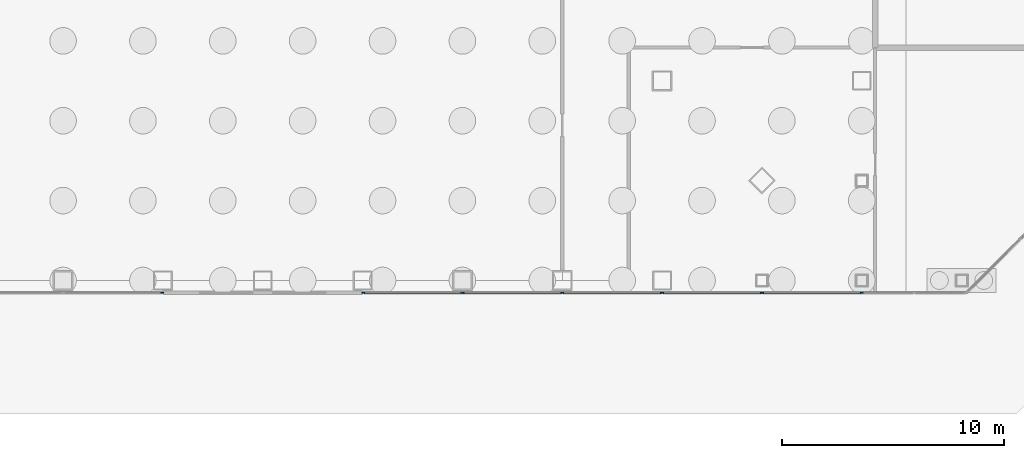
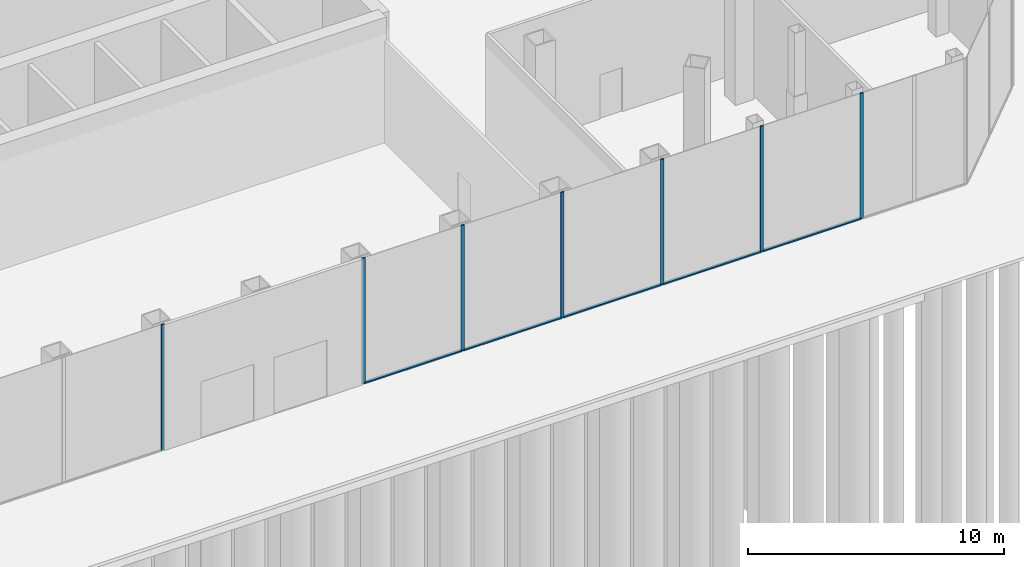
# One storey, part 9 of 24: 12 members, 2 elements without a shape of their own.
"""IFC4 building model written with IfcOpenShell, lengths in metres."""

from ifc_helpers import new_model, si_unit, direction, frame, origin, origin_2d, place, context, subcontext, project, spatial, rectangle, extrude, material, material_profile, profile_set, type_object, element, aggregate, save


model = new_model("IFC4")

# Units and contexts
model_context = context("Model", 3, precision=1e-05, world=origin(), true_north=direction((0.0, 1.0)))
body_context = subcontext(model_context, "Body", "Model", "MODEL_VIEW")
ifc_project = project(units=[si_unit("LENGTHUNIT", "METRE"), si_unit("AREAUNIT", "SQUARE_METRE"), si_unit("VOLUMEUNIT", "CUBIC_METRE"), si_unit("PLANEANGLEUNIT", "RADIAN"), si_unit("MASSUNIT", "GRAM", prefix="KILO")], contexts=[model_context])

# Site, building, storey
site_placement = place(None, origin())
site = spatial("IfcSite", under=ifc_project, at=site_placement, CompositionType="ELEMENT")
building_placement = place(site_placement, origin())
building = spatial("IfcBuilding", under=site, at=building_placement, Name="Corais Broadcast Tower", CompositionType="ELEMENT")
storey_placement = place(building_placement, origin())
storey = spatial("IfcBuildingStorey", under=building, at=storey_placement, Name="L00", CompositionType="ELEMENT", Elevation=0.0)

# Curtain wall, members
ifc_material_1 = material(Name="Aluminium and glass", Category="aluminium")
curtain_wall_type = type_object("IfcCurtainWallType", Name="Storefront curtain wall CW5", PredefinedType="NOTDEFINED", material=ifc_material_1)
curtain_wall_1_placement = place(storey_placement, origin())
curtain_wall_1 = element("IfcCurtainWall", 1, at=curtain_wall_1_placement, inside=storey, type_object=curtain_wall_type, Name="CW5 curtain wall L00 8", PredefinedType="NOTDEFINED")
ifc_material_2 = material(Name="Aluminium 6063-T6", Category="aluminium")
ifc_material_profile_1 = material_profile(ifc_material_2, rectangle(XDim=0.06005859375, YDim=0.14990234375, at=origin_2d()), Name="Mullion CW5 60x150")
ifc_profile_set_1 = profile_set([ifc_material_profile_1], Name="Aluminium 6063-T6")
member_type_1 = type_object("IfcMemberType", Name="Mullion CW5 60x150", PredefinedType="MULLION", material=ifc_profile_set_1)
member_1_placement = place(storey_placement, frame((54.0, -0.550048828125, 0.0), z_axis=(0.0, 0.0, 1.0), x_axis=(0.0, -1.0, 0.0)))
member_1 = element("IfcMember", 2, at=member_1_placement, type_object=member_type_1, Name="CW5 mullion 3", PredefinedType="MULLION", context=body_context, shape_type="SweptSolid", body=[
    extrude(rectangle(XDim=0.06005859375, YDim=0.14990234375, at=origin_2d()), origin(), (0.0, 0.0, 1.0), 6.0),
])
member_2_placement = place(storey_placement, frame((49.5, -0.550048828125, 0.0), z_axis=(0.0, 0.0, 1.0), x_axis=(0.0, -1.0, 0.0)))
member_2 = element("IfcMember", 3, at=member_2_placement, type_object=member_type_1, Name="CW5 mullion 4", PredefinedType="MULLION", context=body_context, shape_type="SweptSolid", body=[
    extrude(rectangle(XDim=0.06005859375, YDim=0.14990234375, at=origin_2d()), origin(), (0.0, 0.0, 1.0), 6.0),
])
member_3_placement = place(storey_placement, frame((45.0, -0.550048828125, 0.0), z_axis=(0.0, 0.0, 1.0), x_axis=(0.0, -1.0, 0.0)))
member_3 = element("IfcMember", 4, at=member_3_placement, type_object=member_type_1, Name="CW5 mullion 5", PredefinedType="MULLION", context=body_context, shape_type="SweptSolid", body=[
    extrude(rectangle(XDim=0.06005859375, YDim=0.14990234375, at=origin_2d()), origin(), (0.0, 0.0, 1.0), 6.0),
])
member_4_placement = place(storey_placement, frame((40.5, -0.550048828125, 0.0), z_axis=(0.0, 0.0, 1.0), x_axis=(0.0, -1.0, 0.0)))
member_4 = element("IfcMember", 5, at=member_4_placement, type_object=member_type_1, Name="CW5 mullion 6", PredefinedType="MULLION", context=body_context, shape_type="SweptSolid", body=[
    extrude(rectangle(XDim=0.06005859375, YDim=0.14990234375, at=origin_2d()), origin(), (0.0, 0.0, 1.0), 6.0),
])
member_5_placement = place(storey_placement, frame((36.0, -0.550048828125, 0.0), z_axis=(0.0, 0.0, 1.0), x_axis=(0.0, -1.0, 0.0)))
member_5 = element("IfcMember", 6, at=member_5_placement, type_object=member_type_1, Name="CW5 mullion 7", PredefinedType="MULLION", context=body_context, shape_type="SweptSolid", body=[
    extrude(rectangle(XDim=0.06005859375, YDim=0.14990234375, at=origin_2d()), origin(), (0.0, 0.0, 1.0), 6.0),
])
member_6_placement = place(storey_placement, frame((31.530029296875, -0.550048828125, 0.0), z_axis=(0.0, 0.0, 1.0), x_axis=(0.0, -1.0, 0.0)))
member_6 = element("IfcMember", 7, at=member_6_placement, type_object=member_type_1, Name="CW5 mullion 8", PredefinedType="MULLION", context=body_context, shape_type="SweptSolid", body=[
    extrude(rectangle(XDim=0.06005859375, YDim=0.14990234375, at=origin_2d()), origin(), (0.0, 0.0, 1.0), 6.0),
])

# Curtain wall, member
curtain_wall_2_placement = place(storey_placement, origin())
curtain_wall_2 = element("IfcCurtainWall", 8, at=curtain_wall_2_placement, inside=storey, type_object=curtain_wall_type, Name="CW5 curtain wall L00 8", PredefinedType="NOTDEFINED")
member_7_placement = place(storey_placement, frame((22.469970703125, -0.550048828125, 0.0), z_axis=(0.0, 0.0, 1.0), x_axis=(0.0, -1.0, 0.0)))
member_7 = element("IfcMember", 9, at=member_7_placement, type_object=member_type_1, Name="CW5 mullion 1", PredefinedType="MULLION", context=body_context, shape_type="SweptSolid", body=[
    extrude(rectangle(XDim=0.06005859375, YDim=0.14990234375, at=origin_2d()), origin(), (0.0, 0.0, 1.0), 6.0),
])
aggregate(curtain_wall_2, [member_7])

# Member
ifc_material_3 = material(Name="Aluminium 6063-T6", Category="aluminium")
ifc_material_profile_2 = material_profile(ifc_material_3, rectangle(XDim=0.1201171875, YDim=0.06005859375, at=origin_2d()), Name="Transom CW5 60x120")
ifc_profile_set_2 = profile_set([ifc_material_profile_2], Name="Aluminium 6063-T6")
member_type_2 = type_object("IfcMemberType", Name="Transom CW5 60x120", PredefinedType="USERDEFINED", material=ifc_profile_set_2)
member_8_placement = place(storey_placement, frame((53.969970703125, -0.550048828125, 0.030029296875), z_axis=(-1.0, 0.0, 0.0), x_axis=(0.0, -1.0, 0.0)))
member_8 = element("IfcMember", 10, at=member_8_placement, type_object=member_type_2, Name="CW5 transom 3.1", ObjectType="TRANSOM", PredefinedType="USERDEFINED", context=body_context, shape_type="SweptSolid", body=[
    extrude(rectangle(XDim=0.1201171875, YDim=0.06005859375, at=origin_2d()), origin(), (0.0, 0.0, 1.0), 4.43994140625),
])

member_9_placement = place(storey_placement, frame((49.469970703125, -0.550048828125, 0.030029296875), z_axis=(-1.0, 0.0, 0.0), x_axis=(0.0, -1.0, 0.0)))
member_9 = element("IfcMember", 11, at=member_9_placement, type_object=member_type_2, Name="CW5 transom 4.1", ObjectType="TRANSOM", PredefinedType="USERDEFINED", context=body_context, shape_type="SweptSolid", body=[
    extrude(rectangle(XDim=0.1201171875, YDim=0.06005859375, at=origin_2d()), origin(), (0.0, 0.0, 1.0), 4.43994140625),
])

member_10_placement = place(storey_placement, frame((44.969970703125, -0.550048828125, 0.030029296875), z_axis=(-1.0, 0.0, 0.0), x_axis=(0.0, -1.0, 0.0)))
member_10 = element("IfcMember", 12, at=member_10_placement, type_object=member_type_2, Name="CW5 transom 5.1", ObjectType="TRANSOM", PredefinedType="USERDEFINED", context=body_context, shape_type="SweptSolid", body=[
    extrude(rectangle(XDim=0.1201171875, YDim=0.06005859375, at=origin_2d()), origin(), (0.0, 0.0, 1.0), 4.43994140625),
])

member_11_placement = place(storey_placement, frame((40.469970703125, -0.550048828125, 0.030029296875), z_axis=(-1.0, 0.0, 0.0), x_axis=(0.0, -1.0, 0.0)))
member_11 = element("IfcMember", 13, at=member_11_placement, type_object=member_type_2, Name="CW5 transom 6.1", ObjectType="TRANSOM", PredefinedType="USERDEFINED", context=body_context, shape_type="SweptSolid", body=[
    extrude(rectangle(XDim=0.1201171875, YDim=0.06005859375, at=origin_2d()), origin(), (0.0, 0.0, 1.0), 4.43994140625),
])

member_12_placement = place(storey_placement, frame((35.969970703125, -0.550048828125, 0.030029296875), z_axis=(-1.0, 0.0, 0.0), x_axis=(0.0, -1.0, 0.0)))
member_12 = element("IfcMember", 14, at=member_12_placement, type_object=member_type_2, Name="CW5 transom 7.1", ObjectType="TRANSOM", PredefinedType="USERDEFINED", context=body_context, shape_type="SweptSolid", body=[
    extrude(rectangle(XDim=0.1201171875, YDim=0.06005859375, at=origin_2d()), origin(), (0.0, 0.0, 1.0), 4.409912109375),
])

aggregate(curtain_wall_1, [member_1, member_2, member_3, member_4, member_5, member_6, member_8, member_9, member_10, member_11, member_12])

save(model, "model.ifc")
